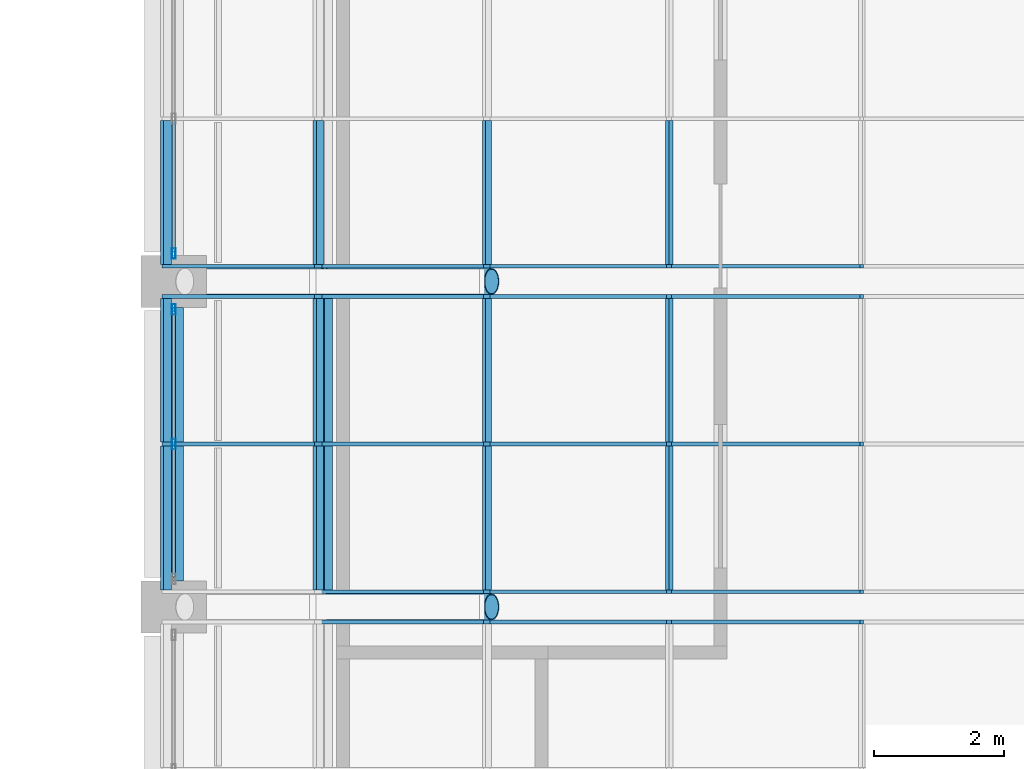
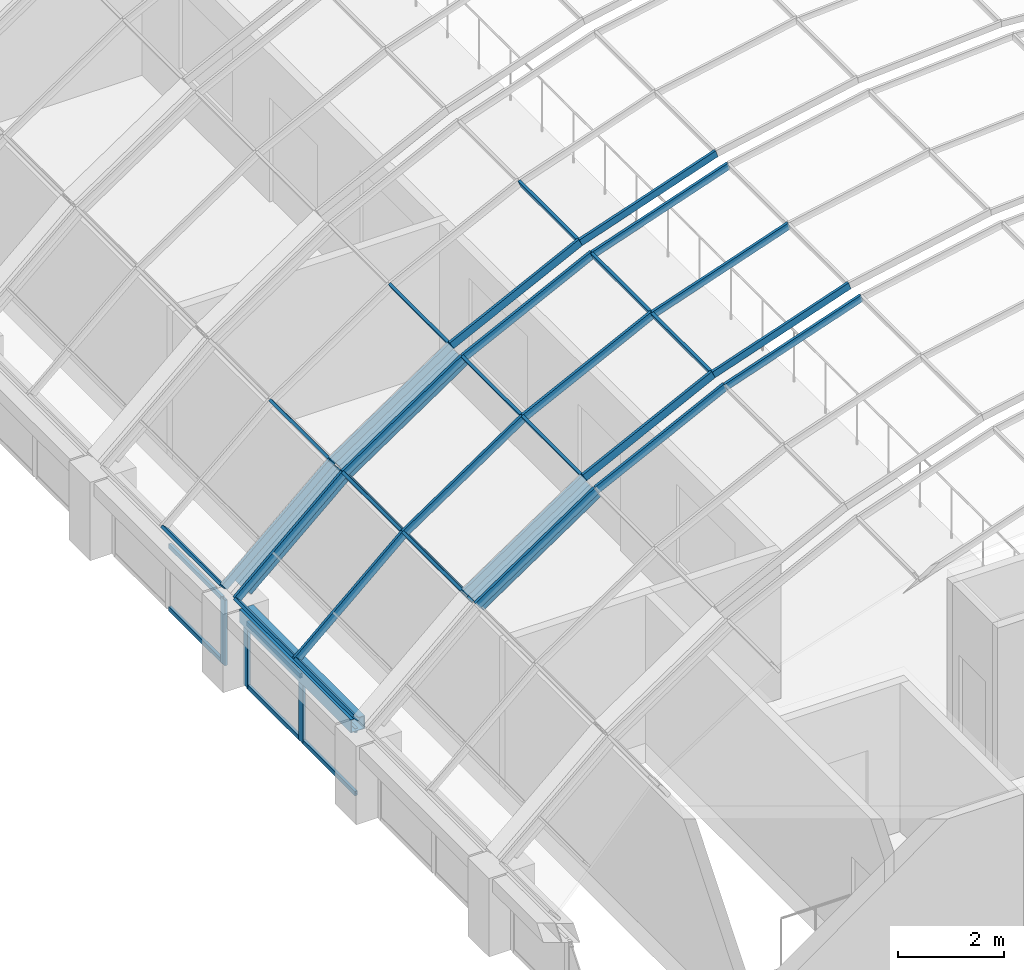
# One storey, part 40 of 182: 43 members, 1 beam, 5 elements without a shape of their own.
"""IFC4 building model written with IfcOpenShell, lengths in metres."""

from ifc_helpers import new_model, si_unit, direction, frame, origin, origin_2d, place, context, subcontext, project, spatial, rectangle, hollow_rectangle, hollow_circle, extrude, material, material_profile, profile_set, type_object, element, aggregate, save


model = new_model("IFC4")

# Units and contexts
model_context = context("Model", 3, precision=1e-05, world=origin(), true_north=direction((0.0, 1.0)))
body_context = subcontext(model_context, "Body", "Model", "MODEL_VIEW")
ifc_project = project(units=[si_unit("LENGTHUNIT", "METRE"), si_unit("AREAUNIT", "SQUARE_METRE"), si_unit("VOLUMEUNIT", "CUBIC_METRE"), si_unit("PLANEANGLEUNIT", "RADIAN"), si_unit("MASSUNIT", "GRAM", prefix="KILO")], contexts=[model_context])

# Site, building, storey
site_placement = place(None, origin())
site = spatial("IfcSite", under=ifc_project, at=site_placement, CompositionType="ELEMENT")
building_placement = place(site_placement, origin())
building = spatial("IfcBuilding", under=site, at=building_placement, Name="Okhra Congress Centre", CompositionType="ELEMENT")
storey_placement = place(building_placement, frame((0.0, 0.0, 7.199951171875)))
storey = spatial("IfcBuildingStorey", under=building, at=storey_placement, Name="L01", CompositionType="ELEMENT", Elevation=7.199951171875)

# Curtain wall, member
ifc_material_1 = material(Name="Aluminium frame with triple glazing", Category="aluminium")
curtain_wall_type_1 = type_object("IfcCurtainWallType", Name="Glazed vault bay curtain wall", PredefinedType="NOTDEFINED", material=ifc_material_1)
curtain_wall_1_placement = place(storey_placement, origin())
curtain_wall_1 = element("IfcCurtainWall", 1, at=curtain_wall_1_placement, inside=storey, type_object=curtain_wall_type_1, Name="Vault glazing bay 6", PredefinedType="NOTDEFINED")
ifc_material_2 = material(Name="Aluminium alloy 6063", Category="aluminium")
ifc_material_profile_1 = material_profile(ifc_material_2, rectangle(XDim=0.06005859375, YDim=0.159912109375, at=origin_2d()), Name="AL 60x160")
ifc_profile_set_1 = profile_set([ifc_material_profile_1], Name="Aluminium alloy 6063")
member_type_1 = type_object("IfcMemberType", Name="Aluminium mullion 60x160", PredefinedType="MULLION", material=ifc_profile_set_1)
member_1_placement = place(storey_placement, frame((163.11328125, 105.766845703125, 7.12255859375), z_axis=(0.946065064306, 0.0, 0.323976687587), x_axis=(0.0, 1.0, 0.0)))
member_1 = element("IfcMember", 2, at=member_1_placement, type_object=member_type_1, Name="Vault mullion 6.3.4", PredefinedType="MULLION", context=body_context, shape_type="SweptSolid", body=[
    extrude(rectangle(XDim=0.06005859375, YDim=0.159912109375, at=origin_2d()), origin(), (0.0, 0.0, 1.0), 3.124267578125),
])

# Curtain wall, members
curtain_wall_2_placement = place(storey_placement, origin())
curtain_wall_2 = element("IfcCurtainWall", 3, at=curtain_wall_2_placement, inside=storey, type_object=curtain_wall_type_1, Name="Vault glazing bay 7", PredefinedType="NOTDEFINED")
member_2_placement = place(storey_placement, frame((163.11328125, 106.233154296875, 7.12255859375), z_axis=(0.946065064306, 0.0, 0.323976687587), x_axis=(0.0, 1.0, 0.0)))
member_2 = element("IfcMember", 4, at=member_2_placement, type_object=member_type_1, Name="Vault mullion 7.1.4", PredefinedType="MULLION", context=body_context, shape_type="SweptSolid", body=[
    extrude(rectangle(XDim=0.06005859375, YDim=0.159912109375, at=origin_2d()), origin(), (0.0, 0.0, 1.0), 3.124267578125),
])
member_3_placement = place(storey_placement, frame((163.11328125, 108.5, 7.12255859375), z_axis=(0.946065064306, 0.0, 0.323976687587), x_axis=(0.0, 1.0, 0.0)))
member_3 = element("IfcMember", 5, at=member_3_placement, type_object=member_type_1, Name="Vault mullion 7.2.4", PredefinedType="MULLION", context=body_context, shape_type="SweptSolid", body=[
    extrude(rectangle(XDim=0.06005859375, YDim=0.159912109375, at=origin_2d()), origin(), (0.0, 0.0, 1.0), 3.124267578125),
])
member_4_placement = place(storey_placement, frame((163.11328125, 110.766845703125, 7.12255859375), z_axis=(0.946065064306, 0.0, 0.323976687587), x_axis=(0.0, 1.0, 0.0)))
member_4 = element("IfcMember", 6, at=member_4_placement, type_object=member_type_1, Name="Vault mullion 7.3.4", PredefinedType="MULLION", context=body_context, shape_type="SweptSolid", body=[
    extrude(rectangle(XDim=0.06005859375, YDim=0.159912109375, at=origin_2d()), origin(), (0.0, 0.0, 1.0), 3.124267578125),
])

# Curtain wall, member
curtain_wall_3_placement = place(storey_placement, origin())
curtain_wall_3 = element("IfcCurtainWall", 7, at=curtain_wall_3_placement, inside=storey, type_object=curtain_wall_type_1, Name="Vault glazing bay 8", PredefinedType="NOTDEFINED")
member_5_placement = place(storey_placement, frame((163.11328125, 111.233154296875, 7.12255859375), z_axis=(0.946065064306, 0.0, 0.323976687587), x_axis=(0.0, 1.0, 0.0)))
member_5 = element("IfcMember", 8, at=member_5_placement, type_object=member_type_1, Name="Vault mullion 8.1.4", PredefinedType="MULLION", context=body_context, shape_type="SweptSolid", body=[
    extrude(rectangle(XDim=0.06005859375, YDim=0.159912109375, at=origin_2d()), origin(), (0.0, 0.0, 1.0), 3.124267578125),
])

# Member
ifc_material_profile_2 = material_profile(ifc_material_2, rectangle(XDim=0.06005859375, YDim=0.179931640625, at=origin_2d()), Name="AL 60x180")
ifc_profile_set_2 = profile_set([ifc_material_profile_2], Name="Aluminium alloy 6063")
member_type_2 = type_object("IfcMemberType", Name="Aluminium mullion 60x180", PredefinedType="MULLION", material=ifc_profile_set_2)
member_6_placement = place(storey_placement, frame((157.720703125, 105.766845703125, 3.990478515625), z_axis=(0.828827846338, 0.0, 0.559503709671), x_axis=(0.0, 1.0, 0.0)))
member_6 = element("IfcMember", 9, at=member_6_placement, type_object=member_type_2, Name="Vault mullion 6.3.2", PredefinedType="MULLION", context=body_context, shape_type="SweptSolid", body=[
    extrude(rectangle(XDim=0.06005859375, YDim=0.179931640625, at=origin_2d()), origin(), (0.0, 0.0, 1.0), 3.12548828125),
])

member_7_placement = place(storey_placement, frame((160.311279296875, 105.766845703125, 5.7392578125), z_axis=(0.895253656313, 0.0, 0.445556832354), x_axis=(0.0, 1.0, 0.0)))
member_7 = element("IfcMember", 10, at=member_7_placement, type_object=member_type_2, Name="Vault mullion 6.3.3", PredefinedType="MULLION", context=body_context, shape_type="SweptSolid", body=[
    extrude(rectangle(XDim=0.06005859375, YDim=0.179931640625, at=origin_2d()), origin(), (0.0, 0.0, 1.0), 3.12548828125),
])

aggregate(curtain_wall_1, [member_6, member_7, member_1])

member_8_placement = place(storey_placement, frame((157.720703125, 106.233154296875, 3.990478515625), z_axis=(0.828827846338, 0.0, 0.559503709671), x_axis=(0.0, 1.0, 0.0)))
member_8 = element("IfcMember", 11, at=member_8_placement, type_object=member_type_2, Name="Vault mullion 7.1.2", PredefinedType="MULLION", context=body_context, shape_type="SweptSolid", body=[
    extrude(rectangle(XDim=0.06005859375, YDim=0.179931640625, at=origin_2d()), origin(), (0.0, 0.0, 1.0), 3.12548828125),
])

member_9_placement = place(storey_placement, frame((160.311279296875, 106.233154296875, 5.7392578125), z_axis=(0.895253656313, 0.0, 0.445556832354), x_axis=(0.0, 1.0, 0.0)))
member_9 = element("IfcMember", 12, at=member_9_placement, type_object=member_type_2, Name="Vault mullion 7.1.3", PredefinedType="MULLION", context=body_context, shape_type="SweptSolid", body=[
    extrude(rectangle(XDim=0.06005859375, YDim=0.179931640625, at=origin_2d()), origin(), (0.0, 0.0, 1.0), 3.12548828125),
])

member_10_placement = place(storey_placement, frame((155.382568359375, 108.5, 1.916015625), z_axis=(0.748025229923, 0.0, 0.663670291183), x_axis=(0.0, 1.0, 0.0)))
member_10 = element("IfcMember", 13, at=member_10_placement, type_object=member_type_2, Name="Vault mullion 7.2.1", PredefinedType="MULLION", context=body_context, shape_type="SweptSolid", body=[
    extrude(rectangle(XDim=0.06005859375, YDim=0.179931640625, at=origin_2d()), origin(), (0.0, 0.0, 1.0), 3.125732421875),
])

member_11_placement = place(storey_placement, frame((157.720703125, 108.5, 3.990478515625), z_axis=(0.828827846338, 0.0, 0.559503709671), x_axis=(0.0, 1.0, 0.0)))
member_11 = element("IfcMember", 14, at=member_11_placement, type_object=member_type_2, Name="Vault mullion 7.2.2", PredefinedType="MULLION", context=body_context, shape_type="SweptSolid", body=[
    extrude(rectangle(XDim=0.06005859375, YDim=0.179931640625, at=origin_2d()), origin(), (0.0, 0.0, 1.0), 3.12548828125),
])

member_12_placement = place(storey_placement, frame((160.311279296875, 108.5, 5.7392578125), z_axis=(0.895253656313, 0.0, 0.445556832354), x_axis=(0.0, 1.0, 0.0)))
member_12 = element("IfcMember", 15, at=member_12_placement, type_object=member_type_2, Name="Vault mullion 7.2.3", PredefinedType="MULLION", context=body_context, shape_type="SweptSolid", body=[
    extrude(rectangle(XDim=0.06005859375, YDim=0.179931640625, at=origin_2d()), origin(), (0.0, 0.0, 1.0), 3.12548828125),
])

member_13_placement = place(storey_placement, frame((155.382568359375, 110.766845703125, 1.916015625), z_axis=(0.748025229923, 0.0, 0.663670291183), x_axis=(0.0, 1.0, 0.0)))
member_13 = element("IfcMember", 16, at=member_13_placement, type_object=member_type_2, Name="Vault mullion 7.3.1", PredefinedType="MULLION", context=body_context, shape_type="SweptSolid", body=[
    extrude(rectangle(XDim=0.06005859375, YDim=0.179931640625, at=origin_2d()), origin(), (0.0, 0.0, 1.0), 3.125732421875),
])

member_14_placement = place(storey_placement, frame((157.720703125, 110.766845703125, 3.990478515625), z_axis=(0.828827846338, 0.0, 0.559503709671), x_axis=(0.0, 1.0, 0.0)))
member_14 = element("IfcMember", 17, at=member_14_placement, type_object=member_type_2, Name="Vault mullion 7.3.2", PredefinedType="MULLION", context=body_context, shape_type="SweptSolid", body=[
    extrude(rectangle(XDim=0.06005859375, YDim=0.179931640625, at=origin_2d()), origin(), (0.0, 0.0, 1.0), 3.12548828125),
])

member_15_placement = place(storey_placement, frame((160.311279296875, 110.766845703125, 5.7392578125), z_axis=(0.895253656313, 0.0, 0.445556832354), x_axis=(0.0, 1.0, 0.0)))
member_15 = element("IfcMember", 18, at=member_15_placement, type_object=member_type_2, Name="Vault mullion 7.3.3", PredefinedType="MULLION", context=body_context, shape_type="SweptSolid", body=[
    extrude(rectangle(XDim=0.06005859375, YDim=0.179931640625, at=origin_2d()), origin(), (0.0, 0.0, 1.0), 3.12548828125),
])

member_16_placement = place(storey_placement, frame((155.382568359375, 111.233154296875, 1.916015625), z_axis=(0.748025229923, 0.0, 0.663670291183), x_axis=(0.0, 1.0, 0.0)))
member_16 = element("IfcMember", 19, at=member_16_placement, type_object=member_type_2, Name="Vault mullion 8.1.1", PredefinedType="MULLION", context=body_context, shape_type="SweptSolid", body=[
    extrude(rectangle(XDim=0.06005859375, YDim=0.179931640625, at=origin_2d()), origin(), (0.0, 0.0, 1.0), 3.125732421875),
])

member_17_placement = place(storey_placement, frame((157.720703125, 111.233154296875, 3.990478515625), z_axis=(0.828827846338, 0.0, 0.559503709671), x_axis=(0.0, 1.0, 0.0)))
member_17 = element("IfcMember", 20, at=member_17_placement, type_object=member_type_2, Name="Vault mullion 8.1.2", PredefinedType="MULLION", context=body_context, shape_type="SweptSolid", body=[
    extrude(rectangle(XDim=0.06005859375, YDim=0.179931640625, at=origin_2d()), origin(), (0.0, 0.0, 1.0), 3.12548828125),
])

member_18_placement = place(storey_placement, frame((160.311279296875, 111.233154296875, 5.7392578125), z_axis=(0.895253656313, 0.0, 0.445556832354), x_axis=(0.0, 1.0, 0.0)))
member_18 = element("IfcMember", 21, at=member_18_placement, type_object=member_type_2, Name="Vault mullion 8.1.3", PredefinedType="MULLION", context=body_context, shape_type="SweptSolid", body=[
    extrude(rectangle(XDim=0.06005859375, YDim=0.179931640625, at=origin_2d()), origin(), (0.0, 0.0, 1.0), 3.12548828125),
])

ifc_material_profile_3 = material_profile(ifc_material_2, rectangle(XDim=0.06005859375, YDim=0.159912109375, at=origin_2d()), Name="AL 60x160 transom")
ifc_profile_set_3 = profile_set([ifc_material_profile_3], Name="Aluminium alloy 6063")
member_type_3 = type_object("IfcMemberType", Name="Aluminium transom 60x160", PredefinedType="USERDEFINED", material=ifc_profile_set_3)
member_19_placement = place(storey_placement, frame((163.11328125, 106.26318359375, 7.12255859375), z_axis=(0.0, 1.0, 0.0), x_axis=(-0.922668973833, 0.0, -0.38559300399)))
member_19 = element("IfcMember", 22, at=member_19_placement, type_object=member_type_3, Name="Vault transom 7.1.4", ObjectType="TRANSOM", PredefinedType="USERDEFINED", context=body_context, shape_type="SweptSolid", body=[
    extrude(rectangle(XDim=0.06005859375, YDim=0.159912109375, at=origin_2d()), origin(), (0.0, 0.0, 1.0), 2.206787109375),
])

member_20_placement = place(storey_placement, frame((163.11328125, 108.530029296875, 7.12255859375), z_axis=(0.0, 1.0, 0.0), x_axis=(-0.922668973833, 0.0, -0.38559300399)))
member_20 = element("IfcMember", 23, at=member_20_placement, type_object=member_type_3, Name="Vault transom 7.2.4", ObjectType="TRANSOM", PredefinedType="USERDEFINED", context=body_context, shape_type="SweptSolid", body=[
    extrude(rectangle(XDim=0.06005859375, YDim=0.159912109375, at=origin_2d()), origin(), (0.0, 0.0, 1.0), 2.206787109375),
])

member_21_placement = place(storey_placement, frame((163.11328125, 111.26318359375, 7.12255859375), z_axis=(0.0, 1.0, 0.0), x_axis=(-0.922668973833, 0.0, -0.38559300399)))
member_21 = element("IfcMember", 24, at=member_21_placement, type_object=member_type_3, Name="Vault transom 8.1.4", ObjectType="TRANSOM", PredefinedType="USERDEFINED", context=body_context, shape_type="SweptSolid", body=[
    extrude(rectangle(XDim=0.06005859375, YDim=0.159912109375, at=origin_2d()), origin(), (0.0, 0.0, 1.0), 2.206787109375),
])

ifc_material_profile_4 = material_profile(ifc_material_2, rectangle(XDim=0.06005859375, YDim=0.179931640625, at=origin_2d()), Name="AL 60x180 transom")
ifc_profile_set_4 = profile_set([ifc_material_profile_4], Name="Aluminium alloy 6063")
member_type_4 = type_object("IfcMemberType", Name="Aluminium transom 60x180", PredefinedType="USERDEFINED", material=ifc_profile_set_4)
member_22_placement = place(storey_placement, frame((155.382568359375, 106.26318359375, 1.916015625), z_axis=(0.0, 1.0, 0.0), x_axis=(-0.702636070549, 0.0, -0.711549402616)))
member_22 = element("IfcMember", 25, at=member_22_placement, type_object=member_type_4, Name="Vault transom 7.1.1", ObjectType="TRANSOM", PredefinedType="USERDEFINED", context=body_context, shape_type="SweptSolid", body=[
    extrude(rectangle(XDim=0.06005859375, YDim=0.179931640625, at=origin_2d()), origin(), (0.0, 0.0, 1.0), 2.206787109375),
])

member_23_placement = place(storey_placement, frame((157.720703125, 106.26318359375, 3.990478515625), z_axis=(0.0, 1.0, 0.0), x_axis=(-0.790145035185, 0.0, -0.612919915954)))
member_23 = element("IfcMember", 26, at=member_23_placement, type_object=member_type_4, Name="Vault transom 7.1.2", ObjectType="TRANSOM", PredefinedType="USERDEFINED", context=body_context, shape_type="SweptSolid", body=[
    extrude(rectangle(XDim=0.06005859375, YDim=0.179931640625, at=origin_2d()), origin(), (0.0, 0.0, 1.0), 2.206787109375),
])

member_24_placement = place(storey_placement, frame((160.311279296875, 106.26318359375, 5.7392578125), z_axis=(0.0, 1.0, 0.0), x_axis=(-0.86391685861, 0.0, -0.503634452167)))
member_24 = element("IfcMember", 27, at=member_24_placement, type_object=member_type_4, Name="Vault transom 7.1.3", ObjectType="TRANSOM", PredefinedType="USERDEFINED", context=body_context, shape_type="SweptSolid", body=[
    extrude(rectangle(XDim=0.06005859375, YDim=0.179931640625, at=origin_2d()), origin(), (0.0, 0.0, 1.0), 2.206787109375),
])

member_25_placement = place(storey_placement, frame((155.382568359375, 108.530029296875, 1.916015625), z_axis=(0.0, 1.0, 0.0), x_axis=(-0.702636070549, 0.0, -0.711549402616)))
member_25 = element("IfcMember", 28, at=member_25_placement, type_object=member_type_4, Name="Vault transom 7.2.1", ObjectType="TRANSOM", PredefinedType="USERDEFINED", context=body_context, shape_type="SweptSolid", body=[
    extrude(rectangle(XDim=0.06005859375, YDim=0.179931640625, at=origin_2d()), origin(), (0.0, 0.0, 1.0), 2.206787109375),
])

member_26_placement = place(storey_placement, frame((157.720703125, 108.530029296875, 3.990478515625), z_axis=(0.0, 1.0, 0.0), x_axis=(-0.790145035185, 0.0, -0.612919915954)))
member_26 = element("IfcMember", 29, at=member_26_placement, type_object=member_type_4, Name="Vault transom 7.2.2", ObjectType="TRANSOM", PredefinedType="USERDEFINED", context=body_context, shape_type="SweptSolid", body=[
    extrude(rectangle(XDim=0.06005859375, YDim=0.179931640625, at=origin_2d()), origin(), (0.0, 0.0, 1.0), 2.206787109375),
])

member_27_placement = place(storey_placement, frame((160.311279296875, 108.530029296875, 5.7392578125), z_axis=(0.0, 1.0, 0.0), x_axis=(-0.86391685861, 0.0, -0.503634452167)))
member_27 = element("IfcMember", 30, at=member_27_placement, type_object=member_type_4, Name="Vault transom 7.2.3", ObjectType="TRANSOM", PredefinedType="USERDEFINED", context=body_context, shape_type="SweptSolid", body=[
    extrude(rectangle(XDim=0.06005859375, YDim=0.179931640625, at=origin_2d()), origin(), (0.0, 0.0, 1.0), 2.206787109375),
])

aggregate(curtain_wall_2, [member_8, member_9, member_2, member_10, member_11, member_12, member_3, member_13, member_14, member_15, member_4, member_22, member_23, member_24, member_19, member_25, member_26, member_27, member_20])

member_28_placement = place(storey_placement, frame((155.382568359375, 111.26318359375, 1.916015625), z_axis=(0.0, 1.0, 0.0), x_axis=(-0.702636070549, 0.0, -0.711549402616)))
member_28 = element("IfcMember", 31, at=member_28_placement, type_object=member_type_4, Name="Vault transom 8.1.1", ObjectType="TRANSOM", PredefinedType="USERDEFINED", context=body_context, shape_type="SweptSolid", body=[
    extrude(rectangle(XDim=0.06005859375, YDim=0.179931640625, at=origin_2d()), origin(), (0.0, 0.0, 1.0), 2.206787109375),
])

member_29_placement = place(storey_placement, frame((157.720703125, 111.26318359375, 3.990478515625), z_axis=(0.0, 1.0, 0.0), x_axis=(-0.790145035185, 0.0, -0.612919915954)))
member_29 = element("IfcMember", 32, at=member_29_placement, type_object=member_type_4, Name="Vault transom 8.1.2", ObjectType="TRANSOM", PredefinedType="USERDEFINED", context=body_context, shape_type="SweptSolid", body=[
    extrude(rectangle(XDim=0.06005859375, YDim=0.179931640625, at=origin_2d()), origin(), (0.0, 0.0, 1.0), 2.206787109375),
])

member_30_placement = place(storey_placement, frame((160.311279296875, 111.26318359375, 5.7392578125), z_axis=(0.0, 1.0, 0.0), x_axis=(-0.86391685861, 0.0, -0.503634452167)))
member_30 = element("IfcMember", 33, at=member_30_placement, type_object=member_type_4, Name="Vault transom 8.1.3", ObjectType="TRANSOM", PredefinedType="USERDEFINED", context=body_context, shape_type="SweptSolid", body=[
    extrude(rectangle(XDim=0.06005859375, YDim=0.179931640625, at=origin_2d()), origin(), (0.0, 0.0, 1.0), 2.206787109375),
])

aggregate(curtain_wall_3, [member_16, member_17, member_18, member_5, member_28, member_29, member_30, member_21])

# Curtain wall, members
ifc_material_3 = material(Name="Aluminium curtain wall, triple glazing", Category="aluminium")
curtain_wall_type_2 = type_object("IfcCurtainWallType", Name="Curtain wall 2100 module", PredefinedType="NOTDEFINED", material=ifc_material_3)
curtain_wall_4_placement = place(storey_placement, origin())
curtain_wall_4 = element("IfcCurtainWall", 34, at=curtain_wall_4_placement, inside=storey, type_object=curtain_wall_type_2, Name="West bay 7 clerestory glazing", PredefinedType="NOTDEFINED")
ifc_material_4 = material(Name="Aluminium alloy EN AW-6063 T66", Category="aluminium")
ifc_material_profile_5 = material_profile(ifc_material_4, hollow_rectangle(XDim=0.06005859375, YDim=0.159912109375, WallThickness=0.00390625, at=origin_2d()), Name="RHS 60x160x4")
ifc_profile_set_5 = profile_set([ifc_material_profile_5], Name="Aluminium alloy EN AW-6063 T66")
member_type_5 = type_object("IfcMemberType", Name="Curtain wall mullion 60x160", PredefinedType="MULLION", material=ifc_profile_set_5)
member_31_placement = place(storey_placement, frame((155.5, 108.5, 0.0), z_axis=(0.0, 0.0, 1.0), x_axis=(-1.0, 0.0, 0.0)))
member_31 = element("IfcMember", 35, at=member_31_placement, type_object=member_type_5, Name="CW4 mullion 2", PredefinedType="MULLION", context=body_context, shape_type="SweptSolid", body=[
    extrude(hollow_rectangle(XDim=0.06005859375, YDim=0.159912109375, WallThickness=0.00390625, at=origin_2d()), origin(), (0.0, 0.0, 1.0), 1.5),
])
member_32_placement = place(storey_placement, frame((155.5, 110.570068359375, 0.0), z_axis=(0.0, 0.0, 1.0), x_axis=(-1.0, 0.0, 0.0)))
member_32 = element("IfcMember", 36, at=member_32_placement, type_object=member_type_5, Name="CW4 mullion 3", PredefinedType="MULLION", context=body_context, shape_type="SweptSolid", body=[
    extrude(hollow_rectangle(XDim=0.06005859375, YDim=0.159912109375, WallThickness=0.00390625, at=origin_2d()), origin(), (0.0, 0.0, 1.0), 1.5),
])

# Curtain wall, member
curtain_wall_5_placement = place(storey_placement, origin())
curtain_wall_5 = element("IfcCurtainWall", 37, at=curtain_wall_5_placement, inside=storey, type_object=curtain_wall_type_2, Name="West bay 8 clerestory glazing", PredefinedType="NOTDEFINED")
member_33_placement = place(storey_placement, frame((155.5, 111.429931640625, 0.0), z_axis=(0.0, 0.0, 1.0), x_axis=(-1.0, 0.0, 0.0)))
member_33 = element("IfcMember", 38, at=member_33_placement, type_object=member_type_5, Name="CW4 mullion 1", PredefinedType="MULLION", context=body_context, shape_type="SweptSolid", body=[
    extrude(hollow_rectangle(XDim=0.06005859375, YDim=0.159912109375, WallThickness=0.00390625, at=origin_2d()), origin(), (0.0, 0.0, 1.0), 1.5),
])

# Member
ifc_material_profile_6 = material_profile(ifc_material_4, hollow_rectangle(XDim=0.06005859375, YDim=0.10009765625, WallThickness=0.00390625, at=origin_2d()), Name="RHS 60x100x4")
ifc_profile_set_6 = profile_set([ifc_material_profile_6], Name="Aluminium alloy EN AW-6063 T66")
member_type_6 = type_object("IfcMemberType", Name="Curtain wall transom 60x100", PredefinedType="USERDEFINED", material=ifc_profile_set_6)
member_34_placement = place(storey_placement, frame((155.5, 106.4599609375, 0.030029296875), z_axis=(0.0, 1.0, 0.0), x_axis=(-1.0, 0.0, 0.0)))
member_34 = element("IfcMember", 39, at=member_34_placement, type_object=member_type_6, Name="CW4 transom 1.1", ObjectType="TRANSOM", PredefinedType="USERDEFINED", context=body_context, shape_type="SweptSolid", body=[
    extrude(hollow_rectangle(XDim=0.06005859375, YDim=0.10009765625, WallThickness=0.00390625, at=origin_2d()), origin(), (0.0, 0.0, 1.0), 2.010009765625),
])

member_35_placement = place(storey_placement, frame((155.5, 106.4599609375, 1.469970703125), z_axis=(0.0, 1.0, 0.0), x_axis=(-1.0, 0.0, 0.0)))
member_35 = element("IfcMember", 40, at=member_35_placement, type_object=member_type_6, Name="CW4 transom 1.2", ObjectType="TRANSOM", PredefinedType="USERDEFINED", context=body_context, shape_type="SweptSolid", body=[
    extrude(hollow_rectangle(XDim=0.06005859375, YDim=0.10009765625, WallThickness=0.00390625, at=origin_2d()), origin(), (0.0, 0.0, 1.0), 2.010009765625),
])

member_36_placement = place(storey_placement, frame((155.5, 108.530029296875, 0.030029296875), z_axis=(0.0, 1.0, 0.0), x_axis=(-1.0, 0.0, 0.0)))
member_36 = element("IfcMember", 41, at=member_36_placement, type_object=member_type_6, Name="CW4 transom 2.1", ObjectType="TRANSOM", PredefinedType="USERDEFINED", context=body_context, shape_type="SweptSolid", body=[
    extrude(hollow_rectangle(XDim=0.06005859375, YDim=0.10009765625, WallThickness=0.00390625, at=origin_2d()), origin(), (0.0, 0.0, 1.0), 2.010009765625),
])

member_37_placement = place(storey_placement, frame((155.5, 108.530029296875, 1.469970703125), z_axis=(0.0, 1.0, 0.0), x_axis=(-1.0, 0.0, 0.0)))
member_37 = element("IfcMember", 42, at=member_37_placement, type_object=member_type_6, Name="CW4 transom 2.2", ObjectType="TRANSOM", PredefinedType="USERDEFINED", context=body_context, shape_type="SweptSolid", body=[
    extrude(hollow_rectangle(XDim=0.06005859375, YDim=0.10009765625, WallThickness=0.00390625, at=origin_2d()), origin(), (0.0, 0.0, 1.0), 2.010009765625),
])

aggregate(curtain_wall_4, [member_31, member_32, member_34, member_35, member_36, member_37])

member_38_placement = place(storey_placement, frame((155.5, 111.4599609375, 0.030029296875), z_axis=(0.0, 1.0, 0.0), x_axis=(-1.0, 0.0, 0.0)))
member_38 = element("IfcMember", 43, at=member_38_placement, type_object=member_type_6, Name="CW4 transom 1.1", ObjectType="TRANSOM", PredefinedType="USERDEFINED", context=body_context, shape_type="SweptSolid", body=[
    extrude(hollow_rectangle(XDim=0.06005859375, YDim=0.10009765625, WallThickness=0.00390625, at=origin_2d()), origin(), (0.0, 0.0, 1.0), 2.010009765625),
])

member_39_placement = place(storey_placement, frame((155.5, 111.4599609375, 1.469970703125), z_axis=(0.0, 1.0, 0.0), x_axis=(-1.0, 0.0, 0.0)))
member_39 = element("IfcMember", 44, at=member_39_placement, type_object=member_type_6, Name="CW4 transom 1.2", ObjectType="TRANSOM", PredefinedType="USERDEFINED", context=body_context, shape_type="SweptSolid", body=[
    extrude(hollow_rectangle(XDim=0.06005859375, YDim=0.10009765625, WallThickness=0.00390625, at=origin_2d()), origin(), (0.0, 0.0, 1.0), 2.010009765625),
])

aggregate(curtain_wall_5, [member_33, member_38, member_39])

# Beam
ifc_material_5 = material(Name="Steel S355J2", Category="steel")
ifc_material_profile_7 = material_profile(ifc_material_5, hollow_rectangle(XDim=0.300048828125, YDim=0.300048828125, WallThickness=0.012451171875, at=origin_2d()), Name="RHS 300x300x12.5")
ifc_profile_set_7 = profile_set([ifc_material_profile_7], Name="Steel S355J2")
beam_type = type_object("IfcBeamType", Name="Steel eaves beam RHS 300x300x12.5", PredefinedType="BEAM", material=ifc_profile_set_7)
beam_placement = place(storey_placement, frame((155.5, 106.39990234375, 1.650146484375), z_axis=(0.0, 1.0, 0.0), x_axis=(-1.0, 0.0, 0.0)))
element("IfcBeam", 45, at=beam_placement, inside=storey, type_object=beam_type, Name="Eaves beam W7", PredefinedType="BEAM", context=body_context, shape_type="SweptSolid", body=[
    extrude(hollow_rectangle(XDim=0.300048828125, YDim=0.300048828125, WallThickness=0.012451171875, at=origin_2d()), origin(), (0.0, 0.0, 1.0), 4.2001953125),
])

# Members
ifc_material_profile_8 = material_profile(ifc_material_5, hollow_rectangle(XDim=0.10009765625, YDim=0.199951171875, WallThickness=0.008056640625, at=origin_2d()), Name="RHS 200x100x8")
ifc_profile_set_8 = profile_set([ifc_material_profile_8], Name="Steel S355J2")
member_type_7 = type_object("IfcMemberType", Name="Steel purlin RHS 200x100x8", PredefinedType="PURLIN", material=ifc_profile_set_8)
member_40_placement = place(storey_placement, frame((157.837158203125, 106.203125, 3.84033203125), z_axis=(0.0, 1.0, 0.0), x_axis=(-0.790145035185, 0.0, -0.612919915954)))
element("IfcMember", 46, at=member_40_placement, inside=storey, type_object=member_type_7, Name="Vault purlin 7.1", PredefinedType="PURLIN", context=body_context, shape_type="SweptSolid", body=[
    extrude(hollow_rectangle(XDim=0.10009765625, YDim=0.199951171875, WallThickness=0.008056640625, at=origin_2d()), origin(), (0.0, 0.0, 1.0), 4.59375),
])
ifc_material_profile_9 = material_profile(ifc_material_5, hollow_circle(Radius=0.203125, WallThickness=0.01611328125, at=origin_2d()), Name="CHS 406.4x16")
ifc_profile_set_9 = profile_set([ifc_material_profile_9], Name="Steel S355J2")
member_type_8 = type_object("IfcMemberType", Name="Tubular steel arch rib CHS 406x16", PredefinedType="USERDEFINED", material=ifc_profile_set_9)
member_41_placement = place(storey_placement, frame((157.8330078125, 106.0, 3.86767578125), z_axis=(0.82882567543, 0.0, 0.559506925558), x_axis=(0.0, 1.0, 0.0)))
element("IfcMember", 47, at=member_41_placement, inside=storey, type_object=member_type_8, Name="Arch rib 7.2", ObjectType="Arch rib", PredefinedType="USERDEFINED", context=body_context, shape_type="SweptSolid", body=[
    extrude(hollow_circle(Radius=0.203125, WallThickness=0.01611328125, at=origin_2d()), origin(), (0.0, 0.0, 1.0), 3.07666015625),
])
member_42_placement = place(storey_placement, frame((155.67138671875, 111.0, 1.9521484375), z_axis=(0.74800221093, 0.0, 0.663696235069), x_axis=(0.0, 1.0, 0.0)))
element("IfcMember", 48, at=member_42_placement, inside=storey, type_object=member_type_8, Name="Arch rib 8.1", ObjectType="Arch rib", PredefinedType="USERDEFINED", context=body_context, shape_type="SweptSolid", body=[
    extrude(hollow_circle(Radius=0.203125, WallThickness=0.01611328125, at=origin_2d()), origin(), (0.0, 0.0, 1.0), 2.861083984375),
])
member_43_placement = place(storey_placement, frame((157.8330078125, 111.0, 3.86767578125), z_axis=(0.82882567543, 0.0, 0.559506925558), x_axis=(0.0, 1.0, 0.0)))
element("IfcMember", 49, at=member_43_placement, inside=storey, type_object=member_type_8, Name="Arch rib 8.2", ObjectType="Arch rib", PredefinedType="USERDEFINED", context=body_context, shape_type="SweptSolid", body=[
    extrude(hollow_circle(Radius=0.203125, WallThickness=0.01611328125, at=origin_2d()), origin(), (0.0, 0.0, 1.0), 3.07666015625),
])

save(model, "model.ifc")
